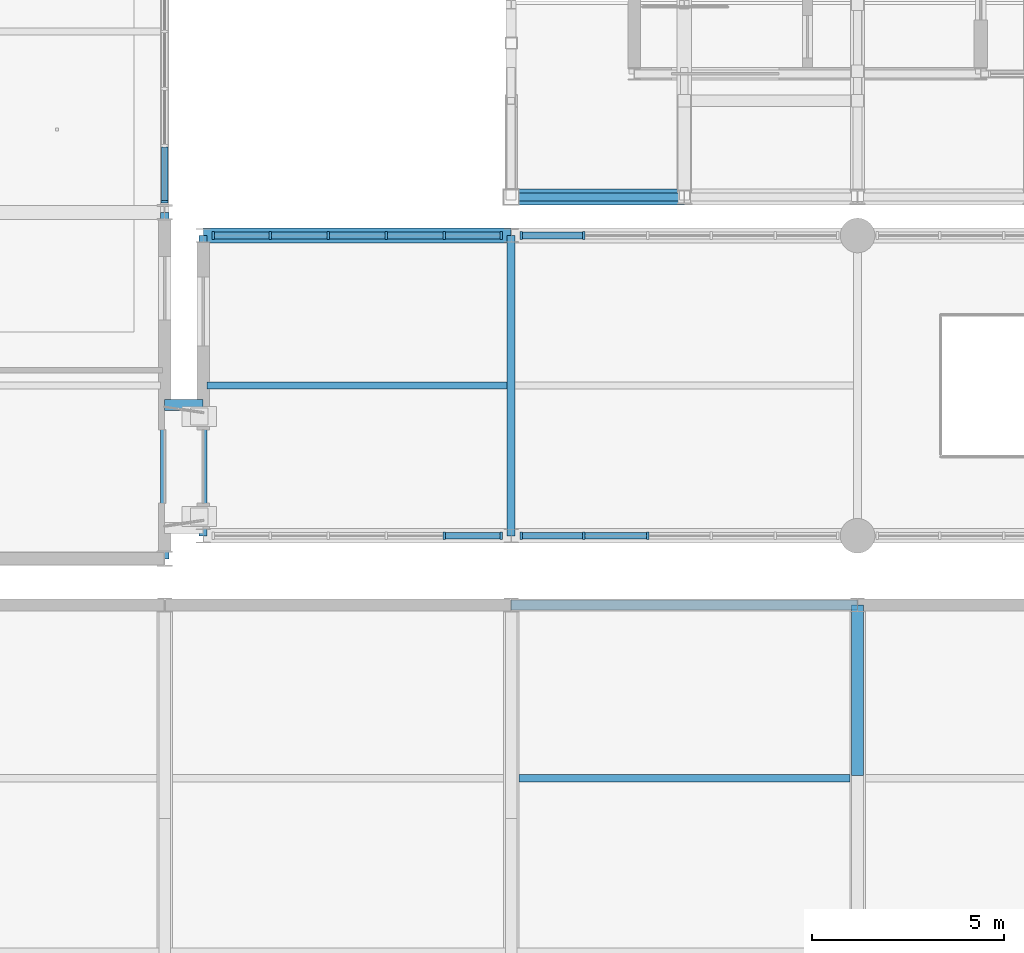
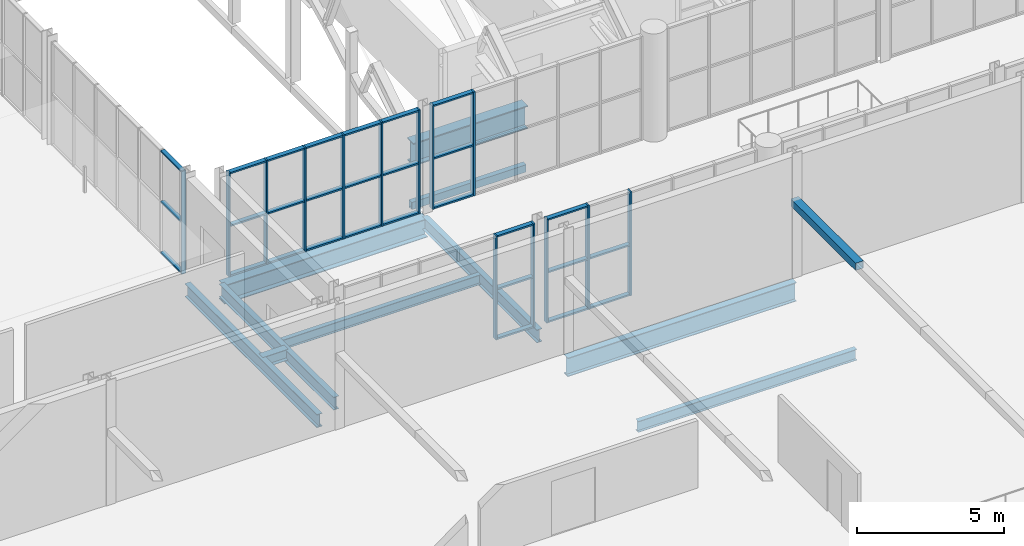
# One storey, part 31 of 134: 44 members, 10 beams, 5 elements without a shape of their own.
"""IFC4 building model written with IfcOpenShell, lengths in metres."""

from ifc_helpers import new_model, si_unit, direction, frame, origin, origin_2d, place, context, subcontext, project, spatial, rectangle, hollow_rectangle, i_section, extrude, material, layer, layer_set, material_profile, profile_set, type_object, element, aggregate, save


model = new_model("IFC4")

# Units and contexts
model_context = context("Model", 3, precision=1e-05, world=origin(), true_north=direction((0.0, 1.0)))
body_context = subcontext(model_context, "Body", "Model", "MODEL_VIEW")
ifc_project = project(units=[si_unit("LENGTHUNIT", "METRE"), si_unit("AREAUNIT", "SQUARE_METRE"), si_unit("VOLUMEUNIT", "CUBIC_METRE"), si_unit("PLANEANGLEUNIT", "RADIAN"), si_unit("MASSUNIT", "GRAM", prefix="KILO")], contexts=[model_context])

# Site, building, storey
site_placement = place(None, origin())
site = spatial("IfcSite", under=ifc_project, at=site_placement, CompositionType="ELEMENT")
building_placement = place(site_placement, origin())
building = spatial("IfcBuilding", under=site, at=building_placement, Name="Cazmaro Siding Exhibition Halls", CompositionType="ELEMENT")
storey_placement = place(building_placement, frame((0.0, 0.0, 12.0)))
storey = spatial("IfcBuildingStorey", under=building, at=storey_placement, Name="L02", CompositionType="ELEMENT", Elevation=12.0)

# Beams
ifc_material_1 = material(Name="Steel ASTM A992 Grade 50", Category="steel")
ifc_material_profile_1 = material_profile(ifc_material_1, i_section(OverallWidth=0.214111328125, OverallDepth=0.549072265625, WebThickness=0.014892578125, FlangeThickness=0.02392578125, at=origin_2d()), Name="W21X93")
ifc_profile_set_1 = profile_set([ifc_material_profile_1], Name="Steel ASTM A992 Grade 50")
beam_type_1 = type_object("IfcBeamType", Name="B-01", PredefinedType="BEAM", material=ifc_profile_set_1)
beam_1_placement = place(storey_placement, frame((36.0, 54.60009765625, -0.4951171875), z_axis=(0.0, 1.0, 0.0), x_axis=(-1.0, 0.0, 0.0)))
element("IfcBeam", 1, at=beam_1_placement, inside=storey, type_object=beam_type_1, Name="Beam B-01 BM-2148", PredefinedType="BEAM", context=body_context, shape_type="SweptSolid", body=[
    extrude(i_section(OverallWidth=0.214111328125, OverallDepth=0.549072265625, WebThickness=0.014892578125, FlangeThickness=0.02392578125, at=origin_2d()), origin(), (0.0, 0.0, 1.0), 9.0),
])
ifc_material_2 = material(Name="Steel ASTM A992 Grade 50", Category="steel")
ifc_material_profile_2 = material_profile(ifc_material_2, i_section(OverallWidth=0.2099609375, OverallDepth=0.535888671875, WebThickness=0.010986328125, FlangeThickness=0.01708984375, at=origin_2d()), Name="W21X68")
ifc_profile_set_2 = profile_set([ifc_material_profile_2], Name="Steel ASTM A992 Grade 50")
beam_type_2 = type_object("IfcBeamType", Name="B-02", PredefinedType="BEAM", material=ifc_profile_set_2)
for number, where, z_axis, x_axis, name in (
    (2, (37.0, 55.199951171875, -0.488037109375), (0.0, 1.0, 0.0), (-1.0, 0.0, 0.0), "Beam B-02 BM-1685"),
    (3, (45.0, 55.199951171875, -0.488037109375), (0.0, 1.0, 0.0), (-1.0, 0.0, 0.0), "Beam B-02 BM-1688"),
):
    element("IfcBeam", number, at=place(storey_placement, frame(where, z_axis=z_axis, x_axis=x_axis)), inside=storey, type_object=beam_type_2, Name=name, PredefinedType="BEAM", context=body_context, shape_type="SweptSolid", body=[
        extrude(i_section(OverallWidth=0.2099609375, OverallDepth=0.535888671875, WebThickness=0.010986328125, FlangeThickness=0.01708984375, at=origin_2d()), origin(), (0.0, 0.0, 1.0), 7.800048828125),
    ])
ifc_material_3 = material(Name="Steel ASTM A992 Grade 50", Category="steel")
ifc_material_profile_3 = material_profile(ifc_material_3, i_section(OverallWidth=0.279052734375, OverallDepth=0.4619140625, WebThickness=0.010986328125, FlangeThickness=0.01708984375, at=origin_2d()), Name="W18X76")
ifc_profile_set_3 = profile_set([ifc_material_profile_3], Name="Steel ASTM A992 Grade 50")
beam_type_3 = type_object("IfcBeamType", Name="B-03", PredefinedType="BEAM", material=ifc_profile_set_3)
beam_2_placement = place(storey_placement, frame((36.0, 58.60009765625, -0.450927734375), z_axis=(1.0, 0.0, 0.0), x_axis=(0.0, 1.0, 0.0)))
element("IfcBeam", 4, at=beam_2_placement, inside=storey, type_object=beam_type_3, Name="Beam B-03 BM-2533", PredefinedType="BEAM", context=body_context, shape_type="SweptSolid", body=[
    extrude(i_section(OverallWidth=0.279052734375, OverallDepth=0.4619140625, WebThickness=0.010986328125, FlangeThickness=0.01708984375, at=origin_2d()), origin(), (0.0, 0.0, 1.0), 1.0),
])
ifc_material_4 = material(Name="Steel ASTM A992 Grade 50", Category="steel")
ifc_material_profile_4 = material_profile(ifc_material_4, i_section(OverallWidth=0.26708984375, OverallDepth=0.779052734375, WebThickness=0.01708984375, FlangeThickness=0.02490234375, at=origin_2d()), Name="W30X148")
ifc_profile_set_4 = profile_set([ifc_material_profile_4], Name="Steel ASTM A992 Grade 50")
beam_type_4 = type_object("IfcBeamType", Name="B-05", PredefinedType="BEAM", material=ifc_profile_set_4)
beam_3_placement = place(storey_placement, frame((54.0, 53.39990234375, -0.638916015625), z_axis=(-1.0, 0.0, 0.0), x_axis=(0.0, -1.0, 0.0)))
element("IfcBeam", 5, at=beam_3_placement, inside=storey, type_object=beam_type_4, Name="Beam B-05 BM-1750", PredefinedType="BEAM", context=body_context, shape_type="SweptSolid", body=[
    extrude(i_section(OverallWidth=0.26708984375, OverallDepth=0.779052734375, WebThickness=0.01708984375, FlangeThickness=0.02490234375, at=origin_2d()), origin(), (0.0, 0.0, 1.0), 9.0),
])

# Curtain wall, member
ifc_material_5 = material(Name="Anodized Bronze Aluminum and Solar-Control Low-E Glazing", Category="aluminium")
ifc_layer_1 = layer(ifc_material_5, 0.179931640625)
ifc_layer_set_1 = layer_set([ifc_layer_1], Name="Anodized Bronze Aluminum and Solar-Control Low-E Glazing")
curtain_wall_type_1 = type_object("IfcCurtainWallType", Name="CWS-01", PredefinedType="USERDEFINED", material=ifc_layer_set_1)
curtain_wall_1_placement = place(storey_placement, origin())
curtain_wall_1 = element("IfcCurtainWall", 6, at=curtain_wall_1_placement, inside=storey, type_object=curtain_wall_type_1, Name="Glazed Curtain Wall CWS-01 CW-237", ObjectType="GLAZED CURTAIN WALL", PredefinedType="USERDEFINED")
ifc_material_6 = material(Name="Anodized Bronze Extruded Aluminum", Category="aluminium")
ifc_material_profile_5 = material_profile(ifc_material_6, rectangle(XDim=0.179931640625, YDim=0.06005859375, at=origin_2d()), Name="CWM-01")
ifc_profile_set_5 = profile_set([ifc_material_profile_5], Name="Anodized Bronze Extruded Aluminum")
member_type_1 = type_object("IfcMemberType", Name="CWM-01", PredefinedType="MULLION", material=ifc_profile_set_5)
member_1_placement = place(storey_placement, frame((36.0, 63.875, 0.0), z_axis=(0.0, 0.0, 1.0), x_axis=(-1.0, 0.0, 0.0)))
member_1 = element("IfcMember", 7, at=member_1_placement, type_object=member_type_1, Name="CWS-01 mullion 1", PredefinedType="MULLION", context=body_context, shape_type="SweptSolid", body=[
    extrude(rectangle(XDim=0.179931640625, YDim=0.06005859375, at=origin_2d()), origin(), (0.0, 0.0, 1.0), 4.280029296875),
])

# Curtain wall, members
ifc_material_7 = material(Name="Anodized Bronze Aluminum and Solar-Control Low-E Glazing", Category="aluminium")
ifc_layer_2 = layer(ifc_material_7, 0.199951171875)
ifc_layer_set_2 = layer_set([ifc_layer_2], Name="Anodized Bronze Aluminum and Solar-Control Low-E Glazing")
curtain_wall_type_2 = type_object("IfcCurtainWallType", Name="CWS-02", PredefinedType="USERDEFINED", material=ifc_layer_set_2)
curtain_wall_2_placement = place(storey_placement, origin())
curtain_wall_2 = element("IfcCurtainWall", 8, at=curtain_wall_2_placement, inside=storey, type_object=curtain_wall_type_2, Name="Glazed Curtain Wall CWS-02 CW-142", ObjectType="GLAZED CURTAIN WALL", PredefinedType="USERDEFINED")
ifc_material_8 = material(Name="Anodized Bronze Extruded Aluminum", Category="aluminium")
ifc_material_profile_6 = material_profile(ifc_material_8, rectangle(XDim=0.199951171875, YDim=0.06494140625, at=origin_2d()), Name="CWM-02")
ifc_profile_set_6 = profile_set([ifc_material_profile_6], Name="Anodized Bronze Extruded Aluminum")
member_type_2 = type_object("IfcMemberType", Name="CWM-02", PredefinedType="MULLION", material=ifc_profile_set_6)
member_2_placement = place(storey_placement, frame((43.261962890625, 55.199951171875, 0.0), z_axis=(0.0, 0.0, 1.0), x_axis=(0.0, 1.0, 0.0)))
member_2 = element("IfcMember", 9, at=member_2_placement, type_object=member_type_2, Name="CWS-02 mullion 5", PredefinedType="MULLION", context=body_context, shape_type="SweptSolid", body=[
    extrude(rectangle(XDim=0.199951171875, YDim=0.06494140625, at=origin_2d()), origin(), (0.0, 0.0, 1.0), 4.324951171875),
])
member_3_placement = place(storey_placement, frame((44.737548828125, 55.199951171875, 0.0), z_axis=(0.0, 0.0, 1.0), x_axis=(0.0, 1.0, 0.0)))
member_3 = element("IfcMember", 10, at=member_3_placement, type_object=member_type_2, Name="CWS-02 mullion 6", PredefinedType="MULLION", context=body_context, shape_type="SweptSolid", body=[
    extrude(rectangle(XDim=0.199951171875, YDim=0.06494140625, at=origin_2d()), origin(), (0.0, 0.0, 1.0), 4.324951171875),
])

curtain_wall_3_placement = place(storey_placement, origin())
curtain_wall_3 = element("IfcCurtainWall", 11, at=curtain_wall_3_placement, inside=storey, type_object=curtain_wall_type_2, Name="Glazed Curtain Wall CWS-02 CW-144", ObjectType="GLAZED CURTAIN WALL", PredefinedType="USERDEFINED")
member_4_placement = place(storey_placement, frame((44.737548828125, 63.0, 0.0), z_axis=(0.0, 0.0, 1.0), x_axis=(0.0, -1.0, 0.0)))
member_4 = element("IfcMember", 12, at=member_4_placement, type_object=member_type_2, Name="CWS-02 mullion 1", PredefinedType="MULLION", context=body_context, shape_type="SweptSolid", body=[
    extrude(rectangle(XDim=0.199951171875, YDim=0.06494140625, at=origin_2d()), origin(), (0.0, 0.0, 1.0), 4.324951171875),
])
member_5_placement = place(storey_placement, frame((43.261962890625, 63.0, 0.0), z_axis=(0.0, 0.0, 1.0), x_axis=(0.0, -1.0, 0.0)))
member_5 = element("IfcMember", 13, at=member_5_placement, type_object=member_type_2, Name="CWS-02 mullion 2", PredefinedType="MULLION", context=body_context, shape_type="SweptSolid", body=[
    extrude(rectangle(XDim=0.199951171875, YDim=0.06494140625, at=origin_2d()), origin(), (0.0, 0.0, 1.0), 4.324951171875),
])
member_6_placement = place(storey_placement, frame((41.75390625, 63.0, 0.0), z_axis=(0.0, 0.0, 1.0), x_axis=(0.0, -1.0, 0.0)))
member_6 = element("IfcMember", 14, at=member_6_placement, type_object=member_type_2, Name="CWS-02 mullion 3", PredefinedType="MULLION", context=body_context, shape_type="SweptSolid", body=[
    extrude(rectangle(XDim=0.199951171875, YDim=0.06494140625, at=origin_2d()), origin(), (0.0, 0.0, 1.0), 4.324951171875),
])
member_7_placement = place(storey_placement, frame((40.24609375, 63.0, 0.0), z_axis=(0.0, 0.0, 1.0), x_axis=(0.0, -1.0, 0.0)))
member_7 = element("IfcMember", 15, at=member_7_placement, type_object=member_type_2, Name="CWS-02 mullion 4", PredefinedType="MULLION", context=body_context, shape_type="SweptSolid", body=[
    extrude(rectangle(XDim=0.199951171875, YDim=0.06494140625, at=origin_2d()), origin(), (0.0, 0.0, 1.0), 4.324951171875),
])
member_8_placement = place(storey_placement, frame((38.738037109375, 63.0, 0.0), z_axis=(0.0, 0.0, 1.0), x_axis=(0.0, -1.0, 0.0)))
member_8 = element("IfcMember", 16, at=member_8_placement, type_object=member_type_2, Name="CWS-02 mullion 5", PredefinedType="MULLION", context=body_context, shape_type="SweptSolid", body=[
    extrude(rectangle(XDim=0.199951171875, YDim=0.06494140625, at=origin_2d()), origin(), (0.0, 0.0, 1.0), 4.324951171875),
])
member_9_placement = place(storey_placement, frame((37.262451171875, 63.0, 0.0), z_axis=(0.0, 0.0, 1.0), x_axis=(0.0, -1.0, 0.0)))
member_9 = element("IfcMember", 17, at=member_9_placement, type_object=member_type_2, Name="CWS-02 mullion 6", PredefinedType="MULLION", context=body_context, shape_type="SweptSolid", body=[
    extrude(rectangle(XDim=0.199951171875, YDim=0.06494140625, at=origin_2d()), origin(), (0.0, 0.0, 1.0), 4.324951171875),
])

curtain_wall_4_placement = place(storey_placement, origin())
curtain_wall_4 = element("IfcCurtainWall", 18, at=curtain_wall_4_placement, inside=storey, type_object=curtain_wall_type_2, Name="Glazed Curtain Wall CWS-02 CW-147", ObjectType="GLAZED CURTAIN WALL", PredefinedType="USERDEFINED")
member_10_placement = place(storey_placement, frame((45.262451171875, 55.199951171875, 0.0), z_axis=(0.0, 0.0, 1.0), x_axis=(0.0, 1.0, 0.0)))
member_10 = element("IfcMember", 19, at=member_10_placement, type_object=member_type_2, Name="CWS-02 mullion 1", PredefinedType="MULLION", context=body_context, shape_type="SweptSolid", body=[
    extrude(rectangle(XDim=0.199951171875, YDim=0.06494140625, at=origin_2d()), origin(), (0.0, 0.0, 1.0), 4.324951171875),
])
member_11_placement = place(storey_placement, frame((46.887451171875, 55.199951171875, 0.0), z_axis=(0.0, 0.0, 1.0), x_axis=(0.0, 1.0, 0.0)))
member_11 = element("IfcMember", 20, at=member_11_placement, type_object=member_type_2, Name="CWS-02 mullion 2", PredefinedType="MULLION", context=body_context, shape_type="SweptSolid", body=[
    extrude(rectangle(XDim=0.199951171875, YDim=0.06494140625, at=origin_2d()), origin(), (0.0, 0.0, 1.0), 4.324951171875),
])
member_12_placement = place(storey_placement, frame((48.544921875, 55.199951171875, 0.0), z_axis=(0.0, 0.0, 1.0), x_axis=(0.0, 1.0, 0.0)))
member_12 = element("IfcMember", 21, at=member_12_placement, type_object=member_type_2, Name="CWS-02 mullion 3", PredefinedType="MULLION", context=body_context, shape_type="SweptSolid", body=[
    extrude(rectangle(XDim=0.199951171875, YDim=0.06494140625, at=origin_2d()), origin(), (0.0, 0.0, 1.0), 4.324951171875),
])

curtain_wall_5_placement = place(storey_placement, origin())
curtain_wall_5 = element("IfcCurtainWall", 22, at=curtain_wall_5_placement, inside=storey, type_object=curtain_wall_type_2, Name="Glazed Curtain Wall CWS-02 CW-149", ObjectType="GLAZED CURTAIN WALL", PredefinedType="USERDEFINED")
member_13_placement = place(storey_placement, frame((46.887451171875, 63.0, 0.0), z_axis=(0.0, 0.0, 1.0), x_axis=(0.0, -1.0, 0.0)))
member_13 = element("IfcMember", 23, at=member_13_placement, type_object=member_type_2, Name="CWS-02 mullion 5", PredefinedType="MULLION", context=body_context, shape_type="SweptSolid", body=[
    extrude(rectangle(XDim=0.199951171875, YDim=0.06494140625, at=origin_2d()), origin(), (0.0, 0.0, 1.0), 4.324951171875),
])
member_14_placement = place(storey_placement, frame((45.262451171875, 63.0, 0.0), z_axis=(0.0, 0.0, 1.0), x_axis=(0.0, -1.0, 0.0)))
member_14 = element("IfcMember", 24, at=member_14_placement, type_object=member_type_2, Name="CWS-02 mullion 6", PredefinedType="MULLION", context=body_context, shape_type="SweptSolid", body=[
    extrude(rectangle(XDim=0.199951171875, YDim=0.06494140625, at=origin_2d()), origin(), (0.0, 0.0, 1.0), 4.324951171875),
])

# Member
ifc_material_9 = material(Name="Anodized Bronze Extruded Aluminum", Category="aluminium")
ifc_material_profile_7 = material_profile(ifc_material_9, rectangle(XDim=0.159912109375, YDim=0.06005859375, at=origin_2d()), Name="CWT-01")
ifc_profile_set_7 = profile_set([ifc_material_profile_7], Name="Anodized Bronze Extruded Aluminum")
member_type_3 = type_object("IfcMemberType", Name="CWT-01", PredefinedType="MULLION", material=ifc_profile_set_7)
member_15_placement = place(storey_placement, frame((36.0, 63.905029296875, 0.030029296875), z_axis=(0.0, 1.0, 0.0), x_axis=(-1.0, 0.0, 0.0)))
member_15 = element("IfcMember", 25, at=member_15_placement, type_object=member_type_3, Name="CWS-01 transom 1.1", ObjectType="TRANSOM", PredefinedType="USERDEFINED", context=body_context, shape_type="SweptSolid", body=[
    extrude(rectangle(XDim=0.159912109375, YDim=0.06005859375, at=origin_2d()), origin(), (0.0, 0.0, 1.0), 1.39501953125),
])

member_16_placement = place(storey_placement, frame((36.0, 63.905029296875, 2.139892578125), z_axis=(0.0, 1.0, 0.0), x_axis=(-1.0, 0.0, 0.0)))
member_16 = element("IfcMember", 26, at=member_16_placement, type_object=member_type_3, Name="CWS-01 transom 1.2", ObjectType="TRANSOM", PredefinedType="USERDEFINED", context=body_context, shape_type="SweptSolid", body=[
    extrude(rectangle(XDim=0.159912109375, YDim=0.06005859375, at=origin_2d()), origin(), (0.0, 0.0, 1.0), 1.39501953125),
])

member_17_placement = place(storey_placement, frame((36.0, 63.905029296875, 4.25), z_axis=(0.0, 1.0, 0.0), x_axis=(-1.0, 0.0, 0.0)))
member_17 = element("IfcMember", 27, at=member_17_placement, type_object=member_type_3, Name="CWS-01 transom 1.3", ObjectType="TRANSOM", PredefinedType="USERDEFINED", context=body_context, shape_type="SweptSolid", body=[
    extrude(rectangle(XDim=0.159912109375, YDim=0.06005859375, at=origin_2d()), origin(), (0.0, 0.0, 1.0), 1.39501953125),
])

aggregate(curtain_wall_1, [member_1, member_15, member_16, member_17])

ifc_material_10 = material(Name="Anodized Bronze Extruded Aluminum", Category="aluminium")
ifc_material_profile_8 = material_profile(ifc_material_10, rectangle(XDim=0.179931640625, YDim=0.06494140625, at=origin_2d()), Name="CWT-02")
ifc_profile_set_8 = profile_set([ifc_material_profile_8], Name="Anodized Bronze Extruded Aluminum")
member_type_4 = type_object("IfcMemberType", Name="CWT-02", PredefinedType="MULLION", material=ifc_profile_set_8)
member_18_placement = place(storey_placement, frame((43.29443359375, 55.199951171875, 0.032470703125), z_axis=(1.0, 0.0, 0.0), x_axis=(0.0, 1.0, 0.0)))
member_18 = element("IfcMember", 28, at=member_18_placement, type_object=member_type_4, Name="CWS-02 transom 5.1", ObjectType="TRANSOM", PredefinedType="USERDEFINED", context=body_context, shape_type="SweptSolid", body=[
    extrude(rectangle(XDim=0.179931640625, YDim=0.06494140625, at=origin_2d()), origin(), (0.0, 0.0, 1.0), 1.41064453125),
])

member_19_placement = place(storey_placement, frame((43.29443359375, 55.199951171875, 2.10009765625), z_axis=(1.0, 0.0, 0.0), x_axis=(0.0, 1.0, 0.0)))
member_19 = element("IfcMember", 29, at=member_19_placement, type_object=member_type_4, Name="CWS-02 transom 5.2", ObjectType="TRANSOM", PredefinedType="USERDEFINED", context=body_context, shape_type="SweptSolid", body=[
    extrude(rectangle(XDim=0.179931640625, YDim=0.06494140625, at=origin_2d()), origin(), (0.0, 0.0, 1.0), 1.41064453125),
])

member_20_placement = place(storey_placement, frame((43.29443359375, 55.199951171875, 4.29248046875), z_axis=(1.0, 0.0, 0.0), x_axis=(0.0, 1.0, 0.0)))
member_20 = element("IfcMember", 30, at=member_20_placement, type_object=member_type_4, Name="CWS-02 transom 5.3", ObjectType="TRANSOM", PredefinedType="USERDEFINED", context=body_context, shape_type="SweptSolid", body=[
    extrude(rectangle(XDim=0.179931640625, YDim=0.06494140625, at=origin_2d()), origin(), (0.0, 0.0, 1.0), 1.41064453125),
])

aggregate(curtain_wall_2, [member_2, member_3, member_18, member_19, member_20])

member_21_placement = place(storey_placement, frame((44.705078125, 63.0, 0.032470703125), z_axis=(-1.0, 0.0, 0.0), x_axis=(0.0, -1.0, 0.0)))
member_21 = element("IfcMember", 31, at=member_21_placement, type_object=member_type_4, Name="CWS-02 transom 1.1", ObjectType="TRANSOM", PredefinedType="USERDEFINED", context=body_context, shape_type="SweptSolid", body=[
    extrude(rectangle(XDim=0.179931640625, YDim=0.06494140625, at=origin_2d()), origin(), (0.0, 0.0, 1.0), 1.41064453125),
])

member_22_placement = place(storey_placement, frame((44.705078125, 63.0, 2.10009765625), z_axis=(-1.0, 0.0, 0.0), x_axis=(0.0, -1.0, 0.0)))
member_22 = element("IfcMember", 32, at=member_22_placement, type_object=member_type_4, Name="CWS-02 transom 1.2", ObjectType="TRANSOM", PredefinedType="USERDEFINED", context=body_context, shape_type="SweptSolid", body=[
    extrude(rectangle(XDim=0.179931640625, YDim=0.06494140625, at=origin_2d()), origin(), (0.0, 0.0, 1.0), 1.41064453125),
])

member_23_placement = place(storey_placement, frame((44.705078125, 63.0, 4.29248046875), z_axis=(-1.0, 0.0, 0.0), x_axis=(0.0, -1.0, 0.0)))
member_23 = element("IfcMember", 33, at=member_23_placement, type_object=member_type_4, Name="CWS-02 transom 1.3", ObjectType="TRANSOM", PredefinedType="USERDEFINED", context=body_context, shape_type="SweptSolid", body=[
    extrude(rectangle(XDim=0.179931640625, YDim=0.06494140625, at=origin_2d()), origin(), (0.0, 0.0, 1.0), 1.41064453125),
])

member_24_placement = place(storey_placement, frame((43.2294921875, 63.0, 0.032470703125), z_axis=(-1.0, 0.0, 0.0), x_axis=(0.0, -1.0, 0.0)))
member_24 = element("IfcMember", 34, at=member_24_placement, type_object=member_type_4, Name="CWS-02 transom 2.1", ObjectType="TRANSOM", PredefinedType="USERDEFINED", context=body_context, shape_type="SweptSolid", body=[
    extrude(rectangle(XDim=0.179931640625, YDim=0.06494140625, at=origin_2d()), origin(), (0.0, 0.0, 1.0), 1.44287109375),
])

member_25_placement = place(storey_placement, frame((43.2294921875, 63.0, 2.10009765625), z_axis=(-1.0, 0.0, 0.0), x_axis=(0.0, -1.0, 0.0)))
member_25 = element("IfcMember", 35, at=member_25_placement, type_object=member_type_4, Name="CWS-02 transom 2.2", ObjectType="TRANSOM", PredefinedType="USERDEFINED", context=body_context, shape_type="SweptSolid", body=[
    extrude(rectangle(XDim=0.179931640625, YDim=0.06494140625, at=origin_2d()), origin(), (0.0, 0.0, 1.0), 1.44287109375),
])

member_26_placement = place(storey_placement, frame((43.2294921875, 63.0, 4.29248046875), z_axis=(-1.0, 0.0, 0.0), x_axis=(0.0, -1.0, 0.0)))
member_26 = element("IfcMember", 36, at=member_26_placement, type_object=member_type_4, Name="CWS-02 transom 2.3", ObjectType="TRANSOM", PredefinedType="USERDEFINED", context=body_context, shape_type="SweptSolid", body=[
    extrude(rectangle(XDim=0.179931640625, YDim=0.06494140625, at=origin_2d()), origin(), (0.0, 0.0, 1.0), 1.44287109375),
])

member_27_placement = place(storey_placement, frame((41.721435546875, 63.0, 0.032470703125), z_axis=(-1.0, 0.0, 0.0), x_axis=(0.0, -1.0, 0.0)))
member_27 = element("IfcMember", 37, at=member_27_placement, type_object=member_type_4, Name="CWS-02 transom 3.1", ObjectType="TRANSOM", PredefinedType="USERDEFINED", context=body_context, shape_type="SweptSolid", body=[
    extrude(rectangle(XDim=0.179931640625, YDim=0.06494140625, at=origin_2d()), origin(), (0.0, 0.0, 1.0), 1.44287109375),
])

member_28_placement = place(storey_placement, frame((41.721435546875, 63.0, 2.10009765625), z_axis=(-1.0, 0.0, 0.0), x_axis=(0.0, -1.0, 0.0)))
member_28 = element("IfcMember", 38, at=member_28_placement, type_object=member_type_4, Name="CWS-02 transom 3.2", ObjectType="TRANSOM", PredefinedType="USERDEFINED", context=body_context, shape_type="SweptSolid", body=[
    extrude(rectangle(XDim=0.179931640625, YDim=0.06494140625, at=origin_2d()), origin(), (0.0, 0.0, 1.0), 1.44287109375),
])

member_29_placement = place(storey_placement, frame((41.721435546875, 63.0, 4.29248046875), z_axis=(-1.0, 0.0, 0.0), x_axis=(0.0, -1.0, 0.0)))
member_29 = element("IfcMember", 39, at=member_29_placement, type_object=member_type_4, Name="CWS-02 transom 3.3", ObjectType="TRANSOM", PredefinedType="USERDEFINED", context=body_context, shape_type="SweptSolid", body=[
    extrude(rectangle(XDim=0.179931640625, YDim=0.06494140625, at=origin_2d()), origin(), (0.0, 0.0, 1.0), 1.44287109375),
])

member_30_placement = place(storey_placement, frame((40.21337890625, 63.0, 0.032470703125), z_axis=(-1.0, 0.0, 0.0), x_axis=(0.0, -1.0, 0.0)))
member_30 = element("IfcMember", 40, at=member_30_placement, type_object=member_type_4, Name="CWS-02 transom 4.1", ObjectType="TRANSOM", PredefinedType="USERDEFINED", context=body_context, shape_type="SweptSolid", body=[
    extrude(rectangle(XDim=0.179931640625, YDim=0.06494140625, at=origin_2d()), origin(), (0.0, 0.0, 1.0), 1.44287109375),
])

member_31_placement = place(storey_placement, frame((40.21337890625, 63.0, 2.10009765625), z_axis=(-1.0, 0.0, 0.0), x_axis=(0.0, -1.0, 0.0)))
member_31 = element("IfcMember", 41, at=member_31_placement, type_object=member_type_4, Name="CWS-02 transom 4.2", ObjectType="TRANSOM", PredefinedType="USERDEFINED", context=body_context, shape_type="SweptSolid", body=[
    extrude(rectangle(XDim=0.179931640625, YDim=0.06494140625, at=origin_2d()), origin(), (0.0, 0.0, 1.0), 1.44287109375),
])

member_32_placement = place(storey_placement, frame((40.21337890625, 63.0, 4.29248046875), z_axis=(-1.0, 0.0, 0.0), x_axis=(0.0, -1.0, 0.0)))
member_32 = element("IfcMember", 42, at=member_32_placement, type_object=member_type_4, Name="CWS-02 transom 4.3", ObjectType="TRANSOM", PredefinedType="USERDEFINED", context=body_context, shape_type="SweptSolid", body=[
    extrude(rectangle(XDim=0.179931640625, YDim=0.06494140625, at=origin_2d()), origin(), (0.0, 0.0, 1.0), 1.44287109375),
])

member_33_placement = place(storey_placement, frame((38.70556640625, 63.0, 0.032470703125), z_axis=(-1.0, 0.0, 0.0), x_axis=(0.0, -1.0, 0.0)))
member_33 = element("IfcMember", 43, at=member_33_placement, type_object=member_type_4, Name="CWS-02 transom 5.1", ObjectType="TRANSOM", PredefinedType="USERDEFINED", context=body_context, shape_type="SweptSolid", body=[
    extrude(rectangle(XDim=0.179931640625, YDim=0.06494140625, at=origin_2d()), origin(), (0.0, 0.0, 1.0), 1.41064453125),
])

member_34_placement = place(storey_placement, frame((38.70556640625, 63.0, 2.10009765625), z_axis=(-1.0, 0.0, 0.0), x_axis=(0.0, -1.0, 0.0)))
member_34 = element("IfcMember", 44, at=member_34_placement, type_object=member_type_4, Name="CWS-02 transom 5.2", ObjectType="TRANSOM", PredefinedType="USERDEFINED", context=body_context, shape_type="SweptSolid", body=[
    extrude(rectangle(XDim=0.179931640625, YDim=0.06494140625, at=origin_2d()), origin(), (0.0, 0.0, 1.0), 1.41064453125),
])

member_35_placement = place(storey_placement, frame((38.70556640625, 63.0, 4.29248046875), z_axis=(-1.0, 0.0, 0.0), x_axis=(0.0, -1.0, 0.0)))
member_35 = element("IfcMember", 45, at=member_35_placement, type_object=member_type_4, Name="CWS-02 transom 5.3", ObjectType="TRANSOM", PredefinedType="USERDEFINED", context=body_context, shape_type="SweptSolid", body=[
    extrude(rectangle(XDim=0.179931640625, YDim=0.06494140625, at=origin_2d()), origin(), (0.0, 0.0, 1.0), 1.41064453125),
])

aggregate(curtain_wall_3, [member_4, member_5, member_6, member_7, member_8, member_9, member_21, member_22, member_23, member_24, member_25, member_26, member_27, member_28, member_29, member_30, member_31, member_32, member_33, member_34, member_35])

member_36_placement = place(storey_placement, frame((45.294921875, 55.199951171875, 0.032470703125), z_axis=(1.0, 0.0, 0.0), x_axis=(0.0, 1.0, 0.0)))
member_36 = element("IfcMember", 46, at=member_36_placement, type_object=member_type_4, Name="CWS-02 transom 1.1", ObjectType="TRANSOM", PredefinedType="USERDEFINED", context=body_context, shape_type="SweptSolid", body=[
    extrude(rectangle(XDim=0.179931640625, YDim=0.06494140625, at=origin_2d()), origin(), (0.0, 0.0, 1.0), 1.56005859375),
])

member_37_placement = place(storey_placement, frame((45.294921875, 55.199951171875, 2.10009765625), z_axis=(1.0, 0.0, 0.0), x_axis=(0.0, 1.0, 0.0)))
member_37 = element("IfcMember", 47, at=member_37_placement, type_object=member_type_4, Name="CWS-02 transom 1.2", ObjectType="TRANSOM", PredefinedType="USERDEFINED", context=body_context, shape_type="SweptSolid", body=[
    extrude(rectangle(XDim=0.179931640625, YDim=0.06494140625, at=origin_2d()), origin(), (0.0, 0.0, 1.0), 1.56005859375),
])

member_38_placement = place(storey_placement, frame((45.294921875, 55.199951171875, 4.29248046875), z_axis=(1.0, 0.0, 0.0), x_axis=(0.0, 1.0, 0.0)))
member_38 = element("IfcMember", 48, at=member_38_placement, type_object=member_type_4, Name="CWS-02 transom 1.3", ObjectType="TRANSOM", PredefinedType="USERDEFINED", context=body_context, shape_type="SweptSolid", body=[
    extrude(rectangle(XDim=0.179931640625, YDim=0.06494140625, at=origin_2d()), origin(), (0.0, 0.0, 1.0), 1.56005859375),
])

member_39_placement = place(storey_placement, frame((46.919921875, 55.199951171875, 0.032470703125), z_axis=(1.0, 0.0, 0.0), x_axis=(0.0, 1.0, 0.0)))
member_39 = element("IfcMember", 49, at=member_39_placement, type_object=member_type_4, Name="CWS-02 transom 2.1", ObjectType="TRANSOM", PredefinedType="USERDEFINED", context=body_context, shape_type="SweptSolid", body=[
    extrude(rectangle(XDim=0.179931640625, YDim=0.06494140625, at=origin_2d()), origin(), (0.0, 0.0, 1.0), 1.59228515625),
])

member_40_placement = place(storey_placement, frame((46.919921875, 55.199951171875, 2.10009765625), z_axis=(1.0, 0.0, 0.0), x_axis=(0.0, 1.0, 0.0)))
member_40 = element("IfcMember", 50, at=member_40_placement, type_object=member_type_4, Name="CWS-02 transom 2.2", ObjectType="TRANSOM", PredefinedType="USERDEFINED", context=body_context, shape_type="SweptSolid", body=[
    extrude(rectangle(XDim=0.179931640625, YDim=0.06494140625, at=origin_2d()), origin(), (0.0, 0.0, 1.0), 1.59228515625),
])

aggregate(curtain_wall_4, [member_10, member_11, member_12, member_36, member_37, member_38, member_39, member_40])

member_41_placement = place(storey_placement, frame((46.85498046875, 63.0, 0.032470703125), z_axis=(-1.0, 0.0, 0.0), x_axis=(0.0, -1.0, 0.0)))
member_41 = element("IfcMember", 51, at=member_41_placement, type_object=member_type_4, Name="CWS-02 transom 5.1", ObjectType="TRANSOM", PredefinedType="USERDEFINED", context=body_context, shape_type="SweptSolid", body=[
    extrude(rectangle(XDim=0.179931640625, YDim=0.06494140625, at=origin_2d()), origin(), (0.0, 0.0, 1.0), 1.56005859375),
])

member_42_placement = place(storey_placement, frame((46.85498046875, 63.0, 2.10009765625), z_axis=(-1.0, 0.0, 0.0), x_axis=(0.0, -1.0, 0.0)))
member_42 = element("IfcMember", 52, at=member_42_placement, type_object=member_type_4, Name="CWS-02 transom 5.2", ObjectType="TRANSOM", PredefinedType="USERDEFINED", context=body_context, shape_type="SweptSolid", body=[
    extrude(rectangle(XDim=0.179931640625, YDim=0.06494140625, at=origin_2d()), origin(), (0.0, 0.0, 1.0), 1.56005859375),
])

member_43_placement = place(storey_placement, frame((46.85498046875, 63.0, 4.29248046875), z_axis=(-1.0, 0.0, 0.0), x_axis=(0.0, -1.0, 0.0)))
member_43 = element("IfcMember", 53, at=member_43_placement, type_object=member_type_4, Name="CWS-02 transom 5.3", ObjectType="TRANSOM", PredefinedType="USERDEFINED", context=body_context, shape_type="SweptSolid", body=[
    extrude(rectangle(XDim=0.179931640625, YDim=0.06494140625, at=origin_2d()), origin(), (0.0, 0.0, 1.0), 1.56005859375),
])

aggregate(curtain_wall_5, [member_13, member_14, member_41, member_42, member_43])

# Beams
ifc_material_11 = material(Name="Steel ASTM A992 Grade 50", Category="steel")
ifc_material_profile_9 = material_profile(ifc_material_11, i_section(OverallWidth=0.424072265625, OverallDepth=0.947021484375, WebThickness=0.02392578125, FlangeThickness=0.04296875, at=origin_2d()), Name="W36X302")
ifc_profile_set_9 = profile_set([ifc_material_profile_9], Name="Steel ASTM A992 Grade 50")
beam_type_5 = type_object("IfcBeamType", Name="G-01", PredefinedType="USERDEFINED", material=ifc_profile_set_9)
beam_4_placement = place(storey_placement, frame((45.0, 64.0, 1.826904296875), z_axis=(1.0, 0.0, 0.0), x_axis=(0.0, 1.0, 0.0)))
element("IfcBeam", 54, at=beam_4_placement, inside=storey, type_object=beam_type_5, Name="Beam G-01 BM-0063", ObjectType="GIRDER", PredefinedType="USERDEFINED", context=body_context, shape_type="SweptSolid", body=[
    extrude(i_section(OverallWidth=0.424072265625, OverallDepth=0.947021484375, WebThickness=0.02392578125, FlangeThickness=0.04296875, at=origin_2d()), origin(), (0.0, 0.0, 1.0), 4.5),
])
ifc_material_12 = material(Name="Steel ASTM A992 Grade 50", Category="steel")
ifc_material_profile_10 = material_profile(ifc_material_12, i_section(OverallWidth=0.381103515625, OverallDepth=0.779052734375, WebThickness=0.01806640625, FlangeThickness=0.030029296875, at=origin_2d()), Name="W30X191")
ifc_profile_set_10 = profile_set([ifc_material_profile_10], Name="Steel ASTM A992 Grade 50")
beam_type_6 = type_object("IfcBeamType", Name="G-04", PredefinedType="USERDEFINED", material=ifc_profile_set_10)
beam_5_placement = place(storey_placement, frame((37.0, 63.0, -0.610107421875), z_axis=(1.0, 0.0, 0.0), x_axis=(0.0, 1.0, 0.0)))
element("IfcBeam", 55, at=beam_5_placement, inside=storey, type_object=beam_type_6, Name="Beam G-04 BM-1571", ObjectType="GIRDER", PredefinedType="USERDEFINED", context=body_context, shape_type="SweptSolid", body=[
    extrude(i_section(OverallWidth=0.381103515625, OverallDepth=0.779052734375, WebThickness=0.01806640625, FlangeThickness=0.030029296875, at=origin_2d()), origin(), (0.0, 0.0, 1.0), 8.0),
])
ifc_material_13 = material(Name="Steel ASTM A992 Grade 50", Category="steel")
ifc_material_profile_11 = material_profile(ifc_material_13, i_section(OverallWidth=0.19091796875, OverallDepth=0.45703125, WebThickness=0.009033203125, FlangeThickness=0.013916015625, at=origin_2d()), Name="W18X50")
ifc_profile_set_11 = profile_set([ifc_material_profile_11], Name="Steel ASTM A992 Grade 50")
beam_type_7 = type_object("IfcBeamType", Name="J-01", PredefinedType="JOIST", material=ifc_profile_set_11)
beam_6_placement = place(storey_placement, frame((45.201904296875, 48.89990234375, -0.47900390625), z_axis=(1.0, 0.0, 0.0), x_axis=(0.0, 1.0, 0.0)))
element("IfcBeam", 56, at=beam_6_placement, inside=storey, type_object=beam_type_7, Name="Beam J-01 BM-1875", PredefinedType="JOIST", context=body_context, shape_type="SweptSolid", body=[
    extrude(i_section(OverallWidth=0.19091796875, OverallDepth=0.45703125, WebThickness=0.009033203125, FlangeThickness=0.013916015625, at=origin_2d()), origin(), (0.0, 0.0, 1.0), 8.59619140625),
])
ifc_material_14 = material(Name="Steel ASTM A992 Grade 50", Category="steel")
ifc_material_profile_12 = material_profile(ifc_material_14, i_section(OverallWidth=0.177978515625, OverallDepth=0.406005859375, WebThickness=0.008056640625, FlangeThickness=0.012939453125, at=origin_2d()), Name="W16X40")
ifc_profile_set_12 = profile_set([ifc_material_profile_12], Name="Steel ASTM A992 Grade 50")
beam_type_8 = type_object("IfcBeamType", Name="J-02", PredefinedType="JOIST", material=ifc_profile_set_12)
beam_7_placement = place(storey_placement, frame((37.10498046875, 59.10009765625, -0.423095703125), z_axis=(1.0, 0.0, 0.0), x_axis=(0.0, 1.0, 0.0)))
element("IfcBeam", 57, at=beam_7_placement, inside=storey, type_object=beam_type_8, Name="Beam J-02 BM-1572", PredefinedType="JOIST", context=body_context, shape_type="SweptSolid", body=[
    extrude(i_section(OverallWidth=0.177978515625, OverallDepth=0.406005859375, WebThickness=0.008056640625, FlangeThickness=0.012939453125, at=origin_2d()), origin(), (0.0, 0.0, 1.0), 7.7900390625),
])
ifc_material_15 = material(Name="Steel ASTM A500 Grade C", Category="steel")
ifc_material_profile_13 = material_profile(ifc_material_15, hollow_rectangle(XDim=0.202880859375, YDim=0.304931640625, WallThickness=0.011962890625, at=origin_2d()), Name="HSS12X8X1/2")
ifc_profile_set_13 = profile_set([ifc_material_profile_13], Name="Steel ASTM A500 Grade C")
beam_type_9 = type_object("IfcBeamType", Name="SP-01", PredefinedType="SPANDREL", material=ifc_profile_set_13)
beam_8_placement = place(storey_placement, frame((45.0, 64.0, -0.373046875), z_axis=(1.0, 0.0, 0.0), x_axis=(0.0, 1.0, 0.0)))
element("IfcBeam", 58, at=beam_8_placement, inside=storey, type_object=beam_type_9, Name="Beam SP-01 BM-0062", PredefinedType="SPANDREL", context=body_context, shape_type="SweptSolid", body=[
    extrude(hollow_rectangle(XDim=0.202880859375, YDim=0.304931640625, WallThickness=0.011962890625, at=origin_2d()), origin(), (0.0, 0.0, 1.0), 4.5),
])

# Member
ifc_material_16 = material(Name="Steel ASTM A500 Grade C", Category="steel")
ifc_material_profile_14 = material_profile(ifc_material_16, hollow_rectangle(XDim=0.304931640625, YDim=0.304931640625, WallThickness=0.014892578125, at=origin_2d()), Name="HSS12X12X5/8")
ifc_profile_set_14 = profile_set([ifc_material_profile_14], Name="Steel ASTM A500 Grade C")
member_type_5 = type_object("IfcMemberType", Name="TC-02", PredefinedType="CHORD", material=ifc_profile_set_14)
member_44_placement = place(storey_placement, frame((54.0, 48.97509765625, 3.050048828125), z_axis=(0.0, 1.0, 0.0), x_axis=(-1.0, 0.0, 0.0)))
element("IfcMember", 59, at=member_44_placement, inside=storey, type_object=member_type_5, Name="Congress folded roof bottom chord TC-02 MEM-3421", PredefinedType="CHORD", context=body_context, shape_type="SweptSolid", body=[
    extrude(hollow_rectangle(XDim=0.304931640625, YDim=0.304931640625, WallThickness=0.014892578125, at=origin_2d()), origin(), (0.0, 0.0, 1.0), 4.4248046875),
])

save(model, "model.ifc")
